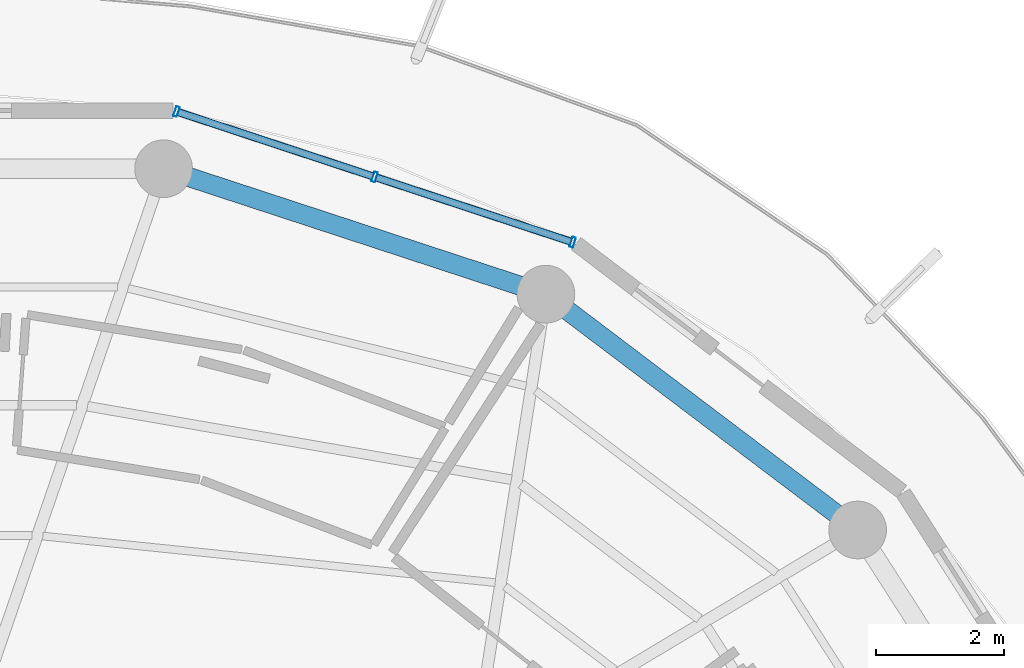
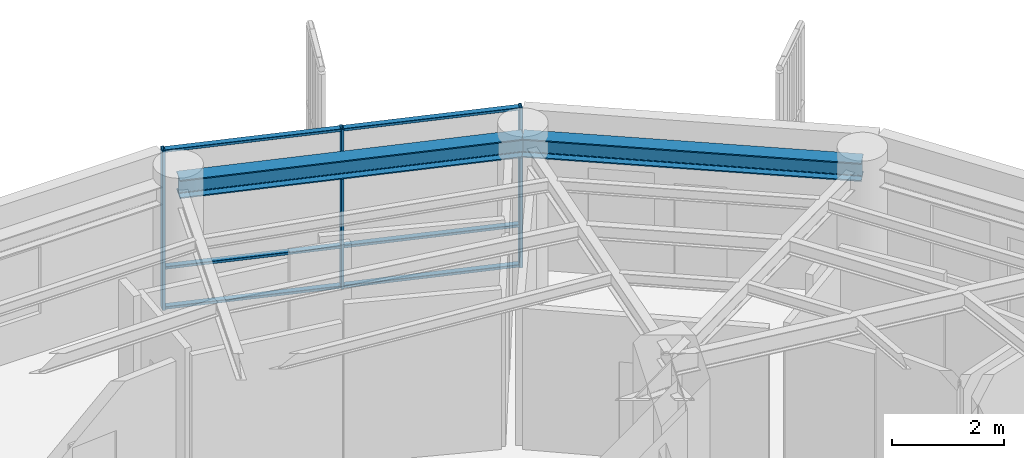
# One storey, part 13 of 22: 9 members, 2 beams, 1 element without a shape of its own.
"""IFC4 building model written with IfcOpenShell, lengths in metres."""

import ifcopenshell
import ifcopenshell.guid

model = None  # the IFC model being written
_history = None  # IfcOwnerHistory: only IFC2X3 demands one
_inside = {}  # id of a spatial element -> (the spatial element, [elements in it])
_under = {}  # id of a project, library or spatial element -> (it, [spatial elements below it])
_declared = {}  # id of a project -> (the project, [libraries it declares])
_typed = {}  # id of a type object -> (the type object, [elements of that type])
_made_of = {}  # id of a material, layer set ... -> (it, [elements and type objects made of it])


def new_model(schema):
    """Start an empty IFC model of exactly this schema.

    Asked for "IFC4X3", IfcOpenShell would pick the latest addendum, in which some entities
    have other attributes; the version numbers below select the first issue.
    IFC2X3 requires an IfcOwnerHistory on every rooted entity: one is made here for all.
    """
    global model, _history
    if schema == "IFC4X3":
        model = ifcopenshell.file(schema_version=(4, 3, 0, 0))
    else:
        model = ifcopenshell.file(schema=schema)
    _inside.clear()
    _under.clear()
    _declared.clear()
    _typed.clear()
    _made_of.clear()
    _history = None
    if model.schema == "IFC2X3":
        org = make("IfcOrganization", Name="unknown")
        user = make(
            "IfcPersonAndOrganization",
            ThePerson=make("IfcPerson", FamilyName="unknown"),
            TheOrganization=org,
        )
        app = make(
            "IfcApplication",
            ApplicationDeveloper=org,
            Version="unknown",
            ApplicationFullName="unknown",
            ApplicationIdentifier="unknown",
        )
        _history = make(
            "IfcOwnerHistory",
            OwningUser=user,
            OwningApplication=app,
            ChangeAction="ADDED",
            CreationDate=0,
        )
    return model


def make(cls, **values):
    """One entity of the class cls with the attributes given. An attribute that is None is left unset."""
    return model.create_entity(
        cls, **{name: value for name, value in values.items() if value is not None}
    )


def rooted(cls, **values):
    """An entity with a GlobalId (a new one), such as an element, a storey or a relation."""
    return make(cls, GlobalId=ifcopenshell.guid.new(), OwnerHistory=_history, **values)


def si_unit(unit_type, name, prefix=None):
    """IfcSIUnit, for example si_unit("LENGTHUNIT", "METRE", prefix="MILLI")."""
    return make("IfcSIUnit", UnitType=unit_type, Prefix=prefix, Name=name)


def assignment(units):
    """IfcUnitAssignment: the units of a project."""
    return None if units is None else make("IfcUnitAssignment", Units=units)


def point(xyz):
    """IfcCartesianPoint."""
    return None if xyz is None else make("IfcCartesianPoint", Coordinates=xyz)


def direction(xyz):
    """IfcDirection."""
    return None if xyz is None else make("IfcDirection", DirectionRatios=xyz)


def frame(location, z_axis=None, x_axis=None):
    """IfcAxis2Placement3D, a coordinate frame: its origin and axes. An axis left out is left unset."""
    return make(
        "IfcAxis2Placement3D",
        Location=point(location),
        Axis=direction(z_axis),
        RefDirection=direction(x_axis),
    )


def frame_2d(location, x_axis=None):
    """IfcAxis2Placement2D, a coordinate frame in the plane: its origin and x axis."""
    return make(
        "IfcAxis2Placement2D", Location=point(location), RefDirection=direction(x_axis)
    )


def origin():
    """The frame at (0, 0, 0) with its axes left unset."""
    return frame((0.0, 0.0, 0.0))


def origin_2d():
    """The frame at (0, 0) in the plane with its x axis left unset."""
    return frame_2d((0.0, 0.0))


def place(relative_to, where):
    """IfcLocalPlacement: puts the frame where relative to a parent placement (None: the world)."""
    return make(
        "IfcLocalPlacement", PlacementRelTo=relative_to, RelativePlacement=where
    )


def context(
    kind, dimensions, precision=None, world=None, true_north=None, identifier=None
):
    """IfcGeometricRepresentationContext, for example the 3D "Model" context."""
    return make(
        "IfcGeometricRepresentationContext",
        ContextIdentifier=identifier,
        ContextType=kind,
        CoordinateSpaceDimension=dimensions,
        Precision=precision,
        WorldCoordinateSystem=world,
        TrueNorth=true_north,
    )


def subcontext(parent, identifier, kind, view, scale=None):
    """IfcGeometricRepresentationSubContext, for example "Body" below "Model"."""
    return make(
        "IfcGeometricRepresentationSubContext",
        ContextIdentifier=identifier,
        ContextType=kind,
        ParentContext=parent,
        TargetScale=scale,
        TargetView=view,
    )


def project(units=None, contexts=None):
    """IfcProject with its units and contexts."""
    return rooted(
        "IfcProject",
        Name="project",
        RepresentationContexts=contexts,
        UnitsInContext=assignment(units),
    )


def spatial(cls, under=None, at=None, **own):
    """A site, building, storey or space (cls), placed at a placement, below another one or the project."""
    s = rooted(cls, ObjectPlacement=at, **own)
    if under is not None:
        _under.setdefault(under.id(), (under, []))[1].append(s)
    return s


def profile(cls, at=None, kind="AREA", **sizes):
    """A parametric profile (cls). Its sizes go by their IFC names, for example OverallWidth=200.0."""
    return make(cls, ProfileType=kind, Position=at, **sizes)


def hollow_rectangle(**sizes):
    """IfcRectangleHollowProfileDef."""
    return profile("IfcRectangleHollowProfileDef", **sizes)


def i_section(**sizes):
    """IfcIShapeProfileDef."""
    return profile("IfcIShapeProfileDef", **sizes)


def extrude(swept, where, along, depth):
    """IfcExtrudedAreaSolid: the profile swept, set in the frame where, extruded along a direction by depth."""
    return make(
        "IfcExtrudedAreaSolid",
        SweptArea=swept,
        Position=where,
        ExtrudedDirection=direction(along),
        Depth=depth,
    )


def shape(context_of_items, identifier, shape_type, items):
    """IfcShapeRepresentation: the items that make up one representation, for example the "Body"."""
    return make(
        "IfcShapeRepresentation",
        ContextOfItems=context_of_items,
        RepresentationIdentifier=identifier,
        RepresentationType=shape_type,
        Items=items,
    )


def material(Name=None, Category=None):
    """IfcMaterial."""
    return make("IfcMaterial", Name=Name, Category=Category)


def layer(
    of_material, thickness, ventilated=None, Name=None, Category=None, Priority=None
):
    """IfcMaterialLayer: one layer of a wall or slab, of a material (None: an air gap)."""
    return make(
        "IfcMaterialLayer",
        Material=of_material,
        LayerThickness=thickness,
        IsVentilated=ventilated,
        Name=Name,
        Category=Category,
        Priority=Priority,
    )


def layer_set(layers, Name=None):
    """IfcMaterialLayerSet."""
    return make("IfcMaterialLayerSet", MaterialLayers=layers, LayerSetName=Name)


def material_profile(
    of_material, cross_section, Name=None, Category=None, Priority=None
):
    """IfcMaterialProfile: a cross section and its material."""
    return make(
        "IfcMaterialProfile",
        Name=Name,
        Material=of_material,
        Profile=cross_section,
        Priority=Priority,
        Category=Category,
    )


def profile_set(profiles, Name=None, composite=None):
    """IfcMaterialProfileSet."""
    return make(
        "IfcMaterialProfileSet",
        Name=Name,
        MaterialProfiles=profiles,
        CompositeProfile=composite,
    )


def made_of(thing, what):
    """Note that an element or type object is made of a material, layer set ...; save() writes the relation."""
    if what is not None:
        _made_of.setdefault(what.id(), (what, []))[1].append(thing)
    return thing


def type_object(cls, material=None, **own):
    """A type object (cls), such as IfcWallType, which elements share."""
    return made_of(rooted(cls, **own), material)


def element(
    cls,
    number,
    at=None,
    inside=None,
    cuts=None,
    type_object=None,
    material=None,
    context=None,
    identifier="Body",
    shape_type=None,
    held_by="IfcProductDefinitionShape",
    body=None,
    shapes=None,
    **own,
):
    """One element of the class cls, such as IfcWall. Its Tag is "e" and its number.

    at: its placement. inside: the storey or other place that contains it. cuts: it is an
    opening in that element (IfcRelVoidsElement). A single representation is given by context,
    identifier, shape_type and body (its items); several are given by shapes. held_by: the class
    of the entity that holds the representations. save() writes the other relations.
    """
    e = rooted(cls, Tag="e%d" % number, ObjectPlacement=at, **own)
    if body is not None:
        shapes = [shape(context, identifier, shape_type, body)]
    if shapes is not None:
        e.Representation = make(held_by, Representations=shapes)
    if inside is not None:
        _inside.setdefault(inside.id(), (inside, []))[1].append(e)
    if cuts is not None:
        rooted(
            "IfcRelVoidsElement", RelatingBuildingElement=cuts, RelatedOpeningElement=e
        )
    if type_object is not None:
        _typed.setdefault(type_object.id(), (type_object, []))[1].append(e)
    return made_of(e, material)


def aggregate(whole, parts):
    """IfcRelAggregates: a whole, such as a stair, and the parts it consists of."""
    return rooted("IfcRelAggregates", RelatingObject=whole, RelatedObjects=parts)


def save(model, path):
    """Write the relations noted so far, then the file.

    IfcRelAggregates (storeys below a building ...), IfcRelContainedInSpatialStructure (elements
    in a storey), IfcRelDefinesByType, IfcRelAssociatesMaterial and IfcRelDeclares: one each for
    every whole, place, type object, material and project.
    """
    for whole, parts in _under.values():
        aggregate(whole, parts)
    for where, things in _inside.values():
        rooted(
            "IfcRelContainedInSpatialStructure",
            RelatedElements=things,
            RelatingStructure=where,
        )
    for kind, things in _typed.values():
        rooted("IfcRelDefinesByType", RelatedObjects=things, RelatingType=kind)
    for what, things in _made_of.values():
        rooted("IfcRelAssociatesMaterial", RelatedObjects=things, RelatingMaterial=what)
    for by, libraries in _declared.values():
        rooted("IfcRelDeclares", RelatingContext=by, RelatedDefinitions=libraries)
    model.write(path)


model = new_model("IFC4")

# Units and contexts
model_context = context("Model", 3, precision=1e-05, world=origin(), true_north=direction((0.0, 1.0)))
body_context = subcontext(model_context, "Body", "Model", "MODEL_VIEW")
ifc_project = project(units=[si_unit("LENGTHUNIT", "METRE"), si_unit("AREAUNIT", "SQUARE_METRE"), si_unit("VOLUMEUNIT", "CUBIC_METRE"), si_unit("PLANEANGLEUNIT", "RADIAN"), si_unit("MASSUNIT", "GRAM", prefix="KILO")], contexts=[model_context])

# Site, building, storey
site_placement = place(None, origin())
site = spatial("IfcSite", under=ifc_project, at=site_placement, CompositionType="ELEMENT")
building_placement = place(site_placement, origin())
building = spatial("IfcBuilding", under=site, at=building_placement, Name="Kelanora Arch Commons", CompositionType="ELEMENT")
storey_placement = place(building_placement, frame((0.0, 0.0, 263.699951171875)))
storey = spatial("IfcBuildingStorey", under=building, at=storey_placement, Name="L67", CompositionType="ELEMENT", Elevation=263.699951171875)

# Beams
ifc_material_1 = material(Name="Steel S355", Category="steel")
ifc_material_profile_1 = material_profile(ifc_material_1, i_section(OverallWidth=0.300048828125, OverallDepth=0.39990234375, WebThickness=0.013427734375, FlangeThickness=0.02392578125, FilletRadius=0.027099609375, at=origin_2d()), Name="HEB400")
ifc_profile_set_1 = profile_set([ifc_material_profile_1], Name="Steel S355")
beam_type = type_object("IfcBeamType", Name="BM-SPN-Z4", PredefinedType="SPANDREL", material=ifc_profile_set_1)
beam_1_placement = place(storey_placement, frame((88.00341796875, 68.593017578125, 3.2900390625), z_axis=(-0.797509460967, 0.603306439273, 0.0), x_axis=(-0.603306439273, -0.797509460967, 0.0)))
element("IfcBeam", 1, at=beam_1_placement, inside=storey, type_object=beam_type, Name="Perimeter Spandrel Beam BS-04 L67", PredefinedType="SPANDREL", context=body_context, shape_type="SweptSolid", body=[
    extrude(i_section(OverallWidth=0.300048828125, OverallDepth=0.39990234375, WebThickness=0.013427734375, FlangeThickness=0.02392578125, FilletRadius=0.027099609375, at=origin_2d()), origin(), (0.0, 0.0, 1.0), 6.098388671875),
])
beam_2_placement = place(storey_placement, frame((83.139892578125, 72.272216796875, 3.2900390625), z_axis=(-0.950165923039, 0.311744636996, 0.0), x_axis=(-0.311744636996, -0.950165923039, 0.0)))
element("IfcBeam", 2, at=beam_2_placement, inside=storey, type_object=beam_type, Name="Perimeter Spandrel Beam BS-06 L67", PredefinedType="SPANDREL", context=body_context, shape_type="SweptSolid", body=[
    extrude(i_section(OverallWidth=0.300048828125, OverallDepth=0.39990234375, WebThickness=0.013427734375, FlangeThickness=0.02392578125, FilletRadius=0.027099609375, at=origin_2d()), origin(), (0.0, 0.0, 1.0), 6.278564453125),
])

# Curtain wall, members
ifc_material_2 = material(Name="Terracotta ceramic-fritted low-E glass and aluminium", Category="masonry")
ifc_layer = layer(ifc_material_2, 0.18994140625)
ifc_layer_set = layer_set([ifc_layer], Name="Terracotta ceramic-fritted low-E glass and aluminium")
curtain_wall_type = type_object("IfcCurtainWallType", Name="CW-SYS-03", PredefinedType="NOTDEFINED", material=ifc_layer_set)
curtain_wall_placement = place(storey_placement, origin())
curtain_wall = element("IfcCurtainWall", 3, at=curtain_wall_placement, inside=storey, type_object=curtain_wall_type, Name="Unitised Curtain Wall L67-B03", PredefinedType="NOTDEFINED")
ifc_material_3 = material(Name="Powder-coated aluminium terracotta", Category="masonry")
ifc_material_profile_2 = material_profile(ifc_material_3, hollow_rectangle(XDim=0.159912109375, YDim=0.06005859375, WallThickness=0.0048828125, InnerFilletRadius=0.0048828125, OuterFilletRadius=0.010009765625, at=origin_2d()), Name="CWM160x60")
ifc_profile_set_2 = profile_set([ifc_material_profile_2], Name="Powder-coated aluminium terracotta")
member_type_1 = type_object("IfcMemberType", Name="CWM-STD", PredefinedType="MULLION", material=ifc_profile_set_2)
member_1_placement = place(storey_placement, frame((83.557373046875, 73.0830078125, 0.0), z_axis=(0.0, 0.0, 1.0), x_axis=(-0.313252785344, -0.949669780752, 0.0)))
member_1 = element("IfcMember", 4, at=member_1_placement, type_object=member_type_1, Name="CW-03 mullion 1", PredefinedType="MULLION", context=body_context, shape_type="SweptSolid", body=[
    extrude(hollow_rectangle(XDim=0.159912109375, YDim=0.06005859375, WallThickness=0.0048828125, InnerFilletRadius=0.0048828125, OuterFilletRadius=0.010009765625, at=origin_2d()), origin(), (0.0, 0.0, 1.0), 3.47509765625),
])
member_2_placement = place(storey_placement, frame((80.467041015625, 74.102294921875, 0.0), z_axis=(0.0, 0.0, 1.0), x_axis=(-0.313252785344, -0.949669780752, 0.0)))
member_2 = element("IfcMember", 5, at=member_2_placement, type_object=member_type_1, Name="CW-03 mullion 2", PredefinedType="MULLION", context=body_context, shape_type="SweptSolid", body=[
    extrude(hollow_rectangle(XDim=0.159912109375, YDim=0.06005859375, WallThickness=0.0048828125, InnerFilletRadius=0.0048828125, OuterFilletRadius=0.010009765625, at=origin_2d()), origin(), (0.0, 0.0, 1.0), 3.47509765625),
])
member_3_placement = place(storey_placement, frame((77.376708984375, 75.12158203125, 0.0), z_axis=(0.0, 0.0, 1.0), x_axis=(-0.313252785344, -0.949669780752, 0.0)))
member_3 = element("IfcMember", 6, at=member_3_placement, type_object=member_type_1, Name="CW-03 mullion 3", PredefinedType="MULLION", context=body_context, shape_type="SweptSolid", body=[
    extrude(hollow_rectangle(XDim=0.159912109375, YDim=0.06005859375, WallThickness=0.0048828125, InnerFilletRadius=0.0048828125, OuterFilletRadius=0.010009765625, at=origin_2d()), origin(), (0.0, 0.0, 1.0), 3.47509765625),
])
ifc_material_profile_3 = material_profile(ifc_material_3, hollow_rectangle(XDim=0.1201171875, YDim=0.06005859375, WallThickness=0.0048828125, InnerFilletRadius=0.0048828125, OuterFilletRadius=0.010009765625, at=origin_2d()), Name="CWT120x60")
ifc_profile_set_3 = profile_set([ifc_material_profile_3], Name="Powder-coated aluminium terracotta")
member_type_2 = type_object("IfcMemberType", Name="CWT-STD", PredefinedType="USERDEFINED", material=ifc_profile_set_3)
member_4_placement = place(storey_placement, frame((83.52880859375, 73.09228515625, 0.030029296875), z_axis=(-0.949672315102, 0.313245102003, 0.0), x_axis=(-0.313245102003, -0.949672315102, 0.0)))
member_4 = element("IfcMember", 7, at=member_4_placement, type_object=member_type_2, Name="CW-03 transom 1.1", ObjectType="TRANSOM", PredefinedType="USERDEFINED", context=body_context, shape_type="SweptSolid", body=[
    extrude(hollow_rectangle(XDim=0.1201171875, YDim=0.06005859375, WallThickness=0.0048828125, InnerFilletRadius=0.0048828125, OuterFilletRadius=0.010009765625, at=origin_2d()), origin(), (0.0, 0.0, 1.0), 3.19384765625),
])
member_5_placement = place(storey_placement, frame((83.52880859375, 73.09228515625, 0.900146484375), z_axis=(-0.949672315102, 0.313245102003, 0.0), x_axis=(-0.313245102003, -0.949672315102, 0.0)))
member_5 = element("IfcMember", 8, at=member_5_placement, type_object=member_type_2, Name="CW-03 transom 1.2", ObjectType="TRANSOM", PredefinedType="USERDEFINED", context=body_context, shape_type="SweptSolid", body=[
    extrude(hollow_rectangle(XDim=0.1201171875, YDim=0.06005859375, WallThickness=0.0048828125, InnerFilletRadius=0.0048828125, OuterFilletRadius=0.010009765625, at=origin_2d()), origin(), (0.0, 0.0, 1.0), 3.19384765625),
])
member_6_placement = place(storey_placement, frame((83.52880859375, 73.09228515625, 3.445068359375), z_axis=(-0.949672315102, 0.313245102003, 0.0), x_axis=(-0.313245102003, -0.949672315102, 0.0)))
member_6 = element("IfcMember", 9, at=member_6_placement, type_object=member_type_2, Name="CW-03 transom 1.3", ObjectType="TRANSOM", PredefinedType="USERDEFINED", context=body_context, shape_type="SweptSolid", body=[
    extrude(hollow_rectangle(XDim=0.1201171875, YDim=0.06005859375, WallThickness=0.0048828125, InnerFilletRadius=0.0048828125, OuterFilletRadius=0.010009765625, at=origin_2d()), origin(), (0.0, 0.0, 1.0), 3.19384765625),
])
member_7_placement = place(storey_placement, frame((80.4384765625, 74.111572265625, 0.030029296875), z_axis=(-0.949649574195, 0.313314037719, 0.0), x_axis=(-0.313314037719, -0.949649574195, 0.0)))
member_7 = element("IfcMember", 10, at=member_7_placement, type_object=member_type_2, Name="CW-03 transom 2.1", ObjectType="TRANSOM", PredefinedType="USERDEFINED", context=body_context, shape_type="SweptSolid", body=[
    extrude(hollow_rectangle(XDim=0.1201171875, YDim=0.06005859375, WallThickness=0.0048828125, InnerFilletRadius=0.0048828125, OuterFilletRadius=0.010009765625, at=origin_2d()), origin(), (0.0, 0.0, 1.0), 3.194091796875),
])
member_8_placement = place(storey_placement, frame((80.4384765625, 74.111572265625, 0.900146484375), z_axis=(-0.949649574195, 0.313314037719, 0.0), x_axis=(-0.313314037719, -0.949649574195, 0.0)))
member_8 = element("IfcMember", 11, at=member_8_placement, type_object=member_type_2, Name="CW-03 transom 2.2", ObjectType="TRANSOM", PredefinedType="USERDEFINED", context=body_context, shape_type="SweptSolid", body=[
    extrude(hollow_rectangle(XDim=0.1201171875, YDim=0.06005859375, WallThickness=0.0048828125, InnerFilletRadius=0.0048828125, OuterFilletRadius=0.010009765625, at=origin_2d()), origin(), (0.0, 0.0, 1.0), 3.194091796875),
])
member_9_placement = place(storey_placement, frame((80.4384765625, 74.111572265625, 3.445068359375), z_axis=(-0.949649574195, 0.313314037719, 0.0), x_axis=(-0.313314037719, -0.949649574195, 0.0)))
member_9 = element("IfcMember", 12, at=member_9_placement, type_object=member_type_2, Name="CW-03 transom 2.3", ObjectType="TRANSOM", PredefinedType="USERDEFINED", context=body_context, shape_type="SweptSolid", body=[
    extrude(hollow_rectangle(XDim=0.1201171875, YDim=0.06005859375, WallThickness=0.0048828125, InnerFilletRadius=0.0048828125, OuterFilletRadius=0.010009765625, at=origin_2d()), origin(), (0.0, 0.0, 1.0), 3.194091796875),
])
aggregate(curtain_wall, [member_1, member_2, member_3, member_4, member_5, member_6, member_7, member_8, member_9])

save(model, "model.ifc")
